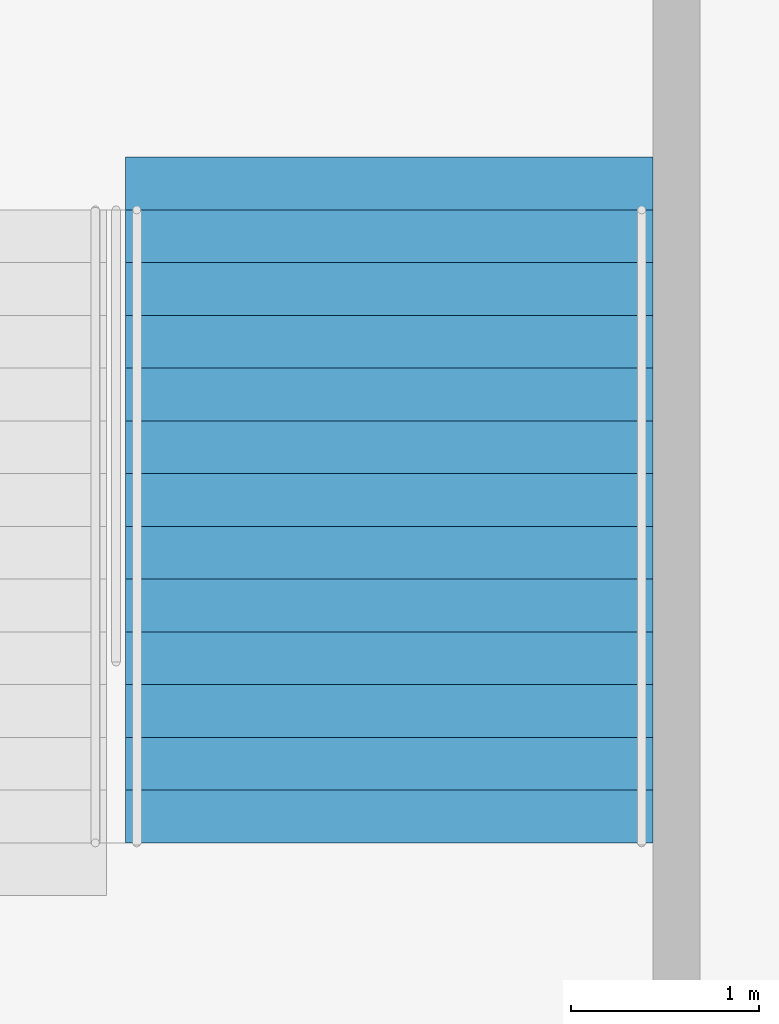
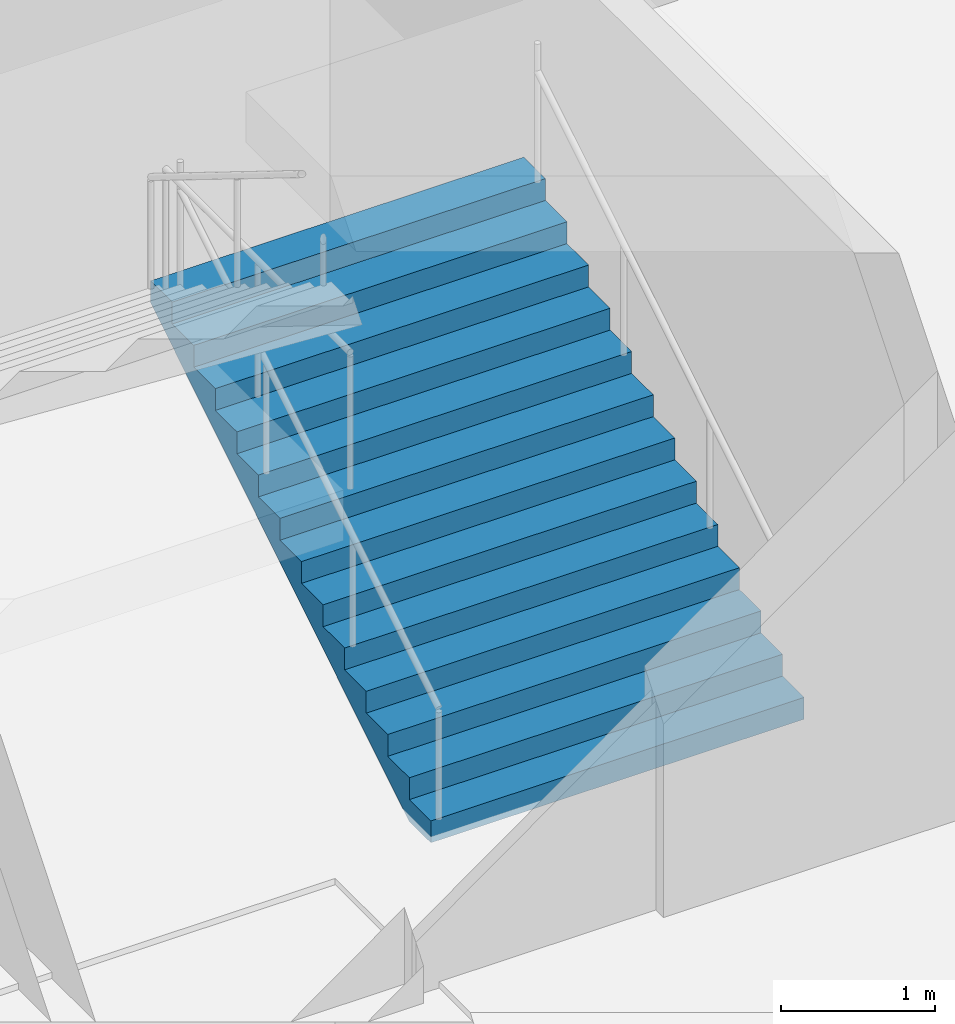
# One storey, part 101 of 115: 1 stair flight, 1 element without a shape of its own.
"""IFC4 building model written with IfcOpenShell, lengths in metres."""

from ifc_helpers import new_model, si_unit, direction, frame, origin, place, context, subcontext, project, spatial, faceted_brep, material, type_object, element, aggregate, save


model = new_model("IFC4")

# Units and contexts
model_context = context("Model", 3, precision=1e-05, world=origin(), true_north=direction((0.0, 1.0)))
body_context = subcontext(model_context, "Body", "Model", "MODEL_VIEW")
ifc_project = project(units=[si_unit("LENGTHUNIT", "METRE"), si_unit("AREAUNIT", "SQUARE_METRE"), si_unit("VOLUMEUNIT", "CUBIC_METRE"), si_unit("PLANEANGLEUNIT", "RADIAN"), si_unit("MASSUNIT", "GRAM", prefix="KILO")], contexts=[model_context])

# Site, building, storey
site_placement = place(None, origin())
site = spatial("IfcSite", under=ifc_project, at=site_placement, CompositionType="ELEMENT")
building_placement = place(site_placement, origin())
building = spatial("IfcBuilding", under=site, at=building_placement, Name="Ogive Plaza Stadium", CompositionType="ELEMENT")
storey_placement = place(building_placement, frame((0.0, 0.0, -4.5)))
storey = spatial("IfcBuildingStorey", under=building, at=storey_placement, Name="B1", CompositionType="ELEMENT", Elevation=-4.5)

# Stair, stair flight
ifc_material_1 = material(Name="Concrete C40/50", Category="concrete")
stair_type = type_object("IfcStairType", Name="Exit stair", PredefinedType="STRAIGHT_RUN_STAIR", material=ifc_material_1)
stair_placement = place(storey_placement, origin())
stair = element("IfcStair", 1, at=stair_placement, inside=storey, type_object=stair_type, Name="Exit stair ST32A B1 to L00", PredefinedType="STRAIGHT_RUN_STAIR")
ifc_material_2 = material(Name="Concrete C40/50", Category="concrete")
stair_flight_type = type_object("IfcStairFlightType", Name="Exit stair flight", PredefinedType="STRAIGHT", material=ifc_material_2)
stair_flight_placement = place(storey_placement, frame((-29.574951171875, 94.85009765625, 0.0), z_axis=(0.0, 0.0, 1.0), x_axis=(0.0, 1.0, 0.0)))
stair_flight = element("IfcStairFlight", 2, at=stair_flight_placement, type_object=stair_flight_type, Name="ST32A flight 1", NumberOfRisers=13, NumberOfTreads=12, PredefinedType="STRAIGHT", RiserHeight=0.173076923, TreadLength=0.28, context=body_context, shape_type="Brep", body=[
    faceted_brep([(0.28515625, -1.39990234375, 0.0), (3.639892578125, -1.39990234375, 2.07373046875), (3.639892578125, -1.39990234375, 2.25), (3.360107421875, -1.39990234375, 2.25), (3.360107421875, -1.39990234375, 2.076904296875), (3.080078125, -1.39990234375, 2.076904296875), (3.080078125, -1.39990234375, 1.90380859375), (2.800048828125, -1.39990234375, 1.90380859375), (2.800048828125, -1.39990234375, 1.730712890625), (2.52001953125, -1.39990234375, 1.730712890625), (2.52001953125, -1.39990234375, 1.5576171875), (2.239990234375, -1.39990234375, 1.5576171875), (2.239990234375, -1.39990234375, 1.384521484375), (1.9599609375, -1.39990234375, 1.384521484375), (1.9599609375, -1.39990234375, 1.21142578125), (1.679931640625, -1.39990234375, 1.21142578125), (1.679931640625, -1.39990234375, 1.03857421875), (1.39990234375, -1.39990234375, 1.03857421875), (1.39990234375, -1.39990234375, 0.865478515625), (1.1201171875, -1.39990234375, 0.865478515625), (1.1201171875, -1.39990234375, 0.6923828125), (0.840087890625, -1.39990234375, 0.6923828125), (0.840087890625, -1.39990234375, 0.519287109375), (0.56005859375, -1.39990234375, 0.519287109375), (0.56005859375, -1.39990234375, 0.34619140625), (0.280029296875, -1.39990234375, 0.34619140625), (0.280029296875, -1.39990234375, 0.173095703125), (0.0, -1.39990234375, 0.173095703125), (0.0, -1.39990234375, 0.0), (0.0, 1.39990234375, 0.0), (0.0, 1.39990234375, 0.173095703125), (0.280029296875, 1.39990234375, 0.173095703125), (0.280029296875, 1.39990234375, 0.34619140625), (0.56005859375, 1.39990234375, 0.34619140625), (0.56005859375, 1.39990234375, 0.519287109375), (0.840087890625, 1.39990234375, 0.519287109375), (0.840087890625, 1.39990234375, 0.6923828125), (1.1201171875, 1.39990234375, 0.6923828125), (1.1201171875, 1.39990234375, 0.865478515625), (1.39990234375, 1.39990234375, 0.865478515625), (1.39990234375, 1.39990234375, 1.03857421875), (1.679931640625, 1.39990234375, 1.03857421875), (1.679931640625, 1.39990234375, 1.21142578125), (1.9599609375, 1.39990234375, 1.21142578125), (1.9599609375, 1.39990234375, 1.384521484375), (2.239990234375, 1.39990234375, 1.384521484375), (2.239990234375, 1.39990234375, 1.5576171875), (2.52001953125, 1.39990234375, 1.5576171875), (2.52001953125, 1.39990234375, 1.730712890625), (2.800048828125, 1.39990234375, 1.730712890625), (2.800048828125, 1.39990234375, 1.90380859375), (3.080078125, 1.39990234375, 1.90380859375), (3.080078125, 1.39990234375, 2.076904296875), (3.360107421875, 1.39990234375, 2.076904296875), (3.360107421875, 1.39990234375, 2.25), (3.639892578125, 1.39990234375, 2.25), (3.639892578125, 1.39990234375, 2.07373046875), (0.28515625, 1.39990234375, 0.0), (0.28515625, -1.0888671875, 0.0), (3.639892578125, -1.0888671875, 2.07373046875), (0.28515625, -0.77783203125, 0.0), (3.639892578125, -0.77783203125, 2.07373046875), (0.28515625, -0.466796875, 0.0), (3.639892578125, -0.466796875, 2.07373046875), (0.28515625, -0.155517578125, 0.0), (3.639892578125, -0.155517578125, 2.07373046875), (0.28515625, 0.155517578125, 0.0), (3.639892578125, 0.155517578125, 2.07373046875), (0.28515625, 0.466796875, 0.0), (3.639892578125, 0.466796875, 2.07373046875), (0.28515625, 0.77783203125, 0.0), (3.639892578125, 0.77783203125, 2.07373046875), (0.28515625, 1.0888671875, 0.0), (3.639892578125, 1.0888671875, 2.07373046875), (3.639892578125, -1.0888671875, 2.25), (3.639892578125, -0.77783203125, 2.25), (3.639892578125, -0.466796875, 2.25), (3.639892578125, -0.155517578125, 2.25), (3.639892578125, 0.155517578125, 2.25), (3.639892578125, 0.466796875, 2.25), (3.639892578125, 0.77783203125, 2.25), (3.639892578125, 1.0888671875, 2.25), (3.360107421875, -1.0888671875, 2.25), (3.360107421875, -0.77783203125, 2.25), (3.360107421875, -0.466796875, 2.25), (3.360107421875, -0.155517578125, 2.25), (3.360107421875, 0.155517578125, 2.25), (3.360107421875, 0.466796875, 2.25), (3.360107421875, 0.77783203125, 2.25), (3.360107421875, 1.0888671875, 2.25), (3.360107421875, -1.0888671875, 2.076904296875), (3.360107421875, -0.77783203125, 2.076904296875), (3.360107421875, -0.466796875, 2.076904296875), (3.360107421875, -0.155517578125, 2.076904296875), (3.360107421875, 0.155517578125, 2.076904296875), (3.360107421875, 0.466796875, 2.076904296875), (3.360107421875, 0.77783203125, 2.076904296875), (3.360107421875, 1.0888671875, 2.076904296875), (3.080078125, -1.0888671875, 2.076904296875), (3.080078125, -0.77783203125, 2.076904296875), (3.080078125, -0.466796875, 2.076904296875), (3.080078125, -0.155517578125, 2.076904296875), (3.080078125, 0.155517578125, 2.076904296875), (3.080078125, 0.466796875, 2.076904296875), (3.080078125, 0.77783203125, 2.076904296875), (3.080078125, 1.0888671875, 2.076904296875), (3.080078125, -1.0888671875, 1.90380859375), (3.080078125, -0.77783203125, 1.90380859375), (3.080078125, -0.466796875, 1.90380859375), (3.080078125, -0.155517578125, 1.90380859375), (3.080078125, 0.155517578125, 1.90380859375), (3.080078125, 0.466796875, 1.90380859375), (3.080078125, 0.77783203125, 1.90380859375), (3.080078125, 1.0888671875, 1.90380859375), (2.800048828125, -1.0888671875, 1.90380859375), (2.800048828125, -0.77783203125, 1.90380859375), (2.800048828125, -0.466796875, 1.90380859375), (2.800048828125, -0.155517578125, 1.90380859375), (2.800048828125, 0.155517578125, 1.90380859375), (2.800048828125, 0.466796875, 1.90380859375), (2.800048828125, 0.77783203125, 1.90380859375), (2.800048828125, 1.0888671875, 1.90380859375), (2.800048828125, -1.0888671875, 1.730712890625), (2.800048828125, -0.77783203125, 1.730712890625), (2.800048828125, -0.466796875, 1.730712890625), (2.800048828125, -0.155517578125, 1.730712890625), (2.800048828125, 0.155517578125, 1.730712890625), (2.800048828125, 0.466796875, 1.730712890625), (2.800048828125, 0.77783203125, 1.730712890625), (2.800048828125, 1.0888671875, 1.730712890625), (2.52001953125, -1.0888671875, 1.730712890625), (2.52001953125, -0.77783203125, 1.730712890625), (2.52001953125, -0.466796875, 1.730712890625), (2.52001953125, -0.155517578125, 1.730712890625), (2.52001953125, 0.155517578125, 1.730712890625), (2.52001953125, 0.466796875, 1.730712890625), (2.52001953125, 0.77783203125, 1.730712890625), (2.52001953125, 1.0888671875, 1.730712890625), (2.52001953125, -1.0888671875, 1.5576171875), (2.52001953125, -0.77783203125, 1.5576171875), (2.52001953125, -0.466796875, 1.5576171875), (2.52001953125, -0.155517578125, 1.5576171875), (2.52001953125, 0.155517578125, 1.5576171875), (2.52001953125, 0.466796875, 1.5576171875), (2.52001953125, 0.77783203125, 1.5576171875), (2.52001953125, 1.0888671875, 1.5576171875), (2.239990234375, -1.0888671875, 1.5576171875), (2.239990234375, -0.77783203125, 1.5576171875), (2.239990234375, -0.466796875, 1.5576171875), (2.239990234375, -0.155517578125, 1.5576171875), (2.239990234375, 0.155517578125, 1.5576171875), (2.239990234375, 0.466796875, 1.5576171875), (2.239990234375, 0.77783203125, 1.5576171875), (2.239990234375, 1.0888671875, 1.5576171875), (2.239990234375, -1.0888671875, 1.384521484375), (2.239990234375, -0.77783203125, 1.384521484375), (2.239990234375, -0.466796875, 1.384521484375), (2.239990234375, -0.155517578125, 1.384521484375), (2.239990234375, 0.155517578125, 1.384521484375), (2.239990234375, 0.466796875, 1.384521484375), (2.239990234375, 0.77783203125, 1.384521484375), (2.239990234375, 1.0888671875, 1.384521484375), (1.9599609375, -1.0888671875, 1.384521484375), (1.9599609375, -0.77783203125, 1.384521484375), (1.9599609375, -0.466796875, 1.384521484375), (1.9599609375, -0.155517578125, 1.384521484375), (1.9599609375, 0.155517578125, 1.384521484375), (1.9599609375, 0.466796875, 1.384521484375), (1.9599609375, 0.77783203125, 1.384521484375), (1.9599609375, 1.0888671875, 1.384521484375), (1.9599609375, -1.0888671875, 1.21142578125), (1.9599609375, -0.77783203125, 1.21142578125), (1.9599609375, -0.466796875, 1.21142578125), (1.9599609375, -0.155517578125, 1.21142578125), (1.9599609375, 0.155517578125, 1.21142578125), (1.9599609375, 0.466796875, 1.21142578125), (1.9599609375, 0.77783203125, 1.21142578125), (1.9599609375, 1.0888671875, 1.21142578125), (1.679931640625, -1.0888671875, 1.21142578125), (1.679931640625, -0.77783203125, 1.21142578125), (1.679931640625, -0.466796875, 1.21142578125), (1.679931640625, -0.155517578125, 1.21142578125), (1.679931640625, 0.155517578125, 1.21142578125), (1.679931640625, 0.466796875, 1.21142578125), (1.679931640625, 0.77783203125, 1.21142578125), (1.679931640625, 1.0888671875, 1.21142578125), (1.679931640625, -1.0888671875, 1.03857421875), (1.679931640625, -0.77783203125, 1.03857421875), (1.679931640625, -0.466796875, 1.03857421875), (1.679931640625, -0.155517578125, 1.03857421875), (1.679931640625, 0.155517578125, 1.03857421875), (1.679931640625, 0.466796875, 1.03857421875), (1.679931640625, 0.77783203125, 1.03857421875), (1.679931640625, 1.0888671875, 1.03857421875), (1.39990234375, -1.0888671875, 1.03857421875), (1.39990234375, -0.77783203125, 1.03857421875), (1.39990234375, -0.466796875, 1.03857421875), (1.39990234375, -0.155517578125, 1.03857421875), (1.39990234375, 0.155517578125, 1.03857421875), (1.39990234375, 0.466796875, 1.03857421875), (1.39990234375, 0.77783203125, 1.03857421875), (1.39990234375, 1.0888671875, 1.03857421875), (1.39990234375, -1.0888671875, 0.865478515625), (1.39990234375, -0.77783203125, 0.865478515625), (1.39990234375, -0.466796875, 0.865478515625), (1.39990234375, -0.155517578125, 0.865478515625), (1.39990234375, 0.155517578125, 0.865478515625), (1.39990234375, 0.466796875, 0.865478515625), (1.39990234375, 0.77783203125, 0.865478515625), (1.39990234375, 1.0888671875, 0.865478515625), (1.1201171875, -1.0888671875, 0.865478515625), (1.1201171875, -0.77783203125, 0.865478515625), (1.1201171875, -0.466796875, 0.865478515625), (1.1201171875, -0.155517578125, 0.865478515625), (1.1201171875, 0.155517578125, 0.865478515625), (1.1201171875, 0.466796875, 0.865478515625), (1.1201171875, 0.77783203125, 0.865478515625), (1.1201171875, 1.0888671875, 0.865478515625), (1.1201171875, -1.0888671875, 0.6923828125), (1.1201171875, -0.77783203125, 0.6923828125), (1.1201171875, -0.466796875, 0.6923828125), (1.1201171875, -0.155517578125, 0.6923828125), (1.1201171875, 0.155517578125, 0.6923828125), (1.1201171875, 0.466796875, 0.6923828125), (1.1201171875, 0.77783203125, 0.6923828125), (1.1201171875, 1.0888671875, 0.6923828125), (0.840087890625, -1.0888671875, 0.6923828125), (0.840087890625, -0.77783203125, 0.6923828125), (0.840087890625, -0.466796875, 0.6923828125), (0.840087890625, -0.155517578125, 0.6923828125), (0.840087890625, 0.155517578125, 0.6923828125), (0.840087890625, 0.466796875, 0.6923828125), (0.840087890625, 0.77783203125, 0.6923828125), (0.840087890625, 1.0888671875, 0.6923828125), (0.840087890625, -1.0888671875, 0.519287109375), (0.840087890625, -0.77783203125, 0.519287109375), (0.840087890625, -0.466796875, 0.519287109375), (0.840087890625, -0.155517578125, 0.519287109375), (0.840087890625, 0.155517578125, 0.519287109375), (0.840087890625, 0.466796875, 0.519287109375), (0.840087890625, 0.77783203125, 0.519287109375), (0.840087890625, 1.0888671875, 0.519287109375), (0.56005859375, -1.0888671875, 0.519287109375), (0.56005859375, -0.77783203125, 0.519287109375), (0.56005859375, -0.466796875, 0.519287109375), (0.56005859375, -0.155517578125, 0.519287109375), (0.56005859375, 0.155517578125, 0.519287109375), (0.56005859375, 0.466796875, 0.519287109375), (0.56005859375, 0.77783203125, 0.519287109375), (0.56005859375, 1.0888671875, 0.519287109375), (0.56005859375, -1.0888671875, 0.34619140625), (0.56005859375, -0.77783203125, 0.34619140625), (0.56005859375, -0.466796875, 0.34619140625), (0.56005859375, -0.155517578125, 0.34619140625), (0.56005859375, 0.155517578125, 0.34619140625), (0.56005859375, 0.466796875, 0.34619140625), (0.56005859375, 0.77783203125, 0.34619140625), (0.56005859375, 1.0888671875, 0.34619140625), (0.280029296875, -1.0888671875, 0.34619140625), (0.280029296875, -0.77783203125, 0.34619140625), (0.280029296875, -0.466796875, 0.34619140625), (0.280029296875, -0.155517578125, 0.34619140625), (0.280029296875, 0.155517578125, 0.34619140625), (0.280029296875, 0.466796875, 0.34619140625), (0.280029296875, 0.77783203125, 0.34619140625), (0.280029296875, 1.0888671875, 0.34619140625), (0.280029296875, -1.0888671875, 0.173095703125), (0.280029296875, -0.77783203125, 0.173095703125), (0.280029296875, -0.466796875, 0.173095703125), (0.280029296875, -0.155517578125, 0.173095703125), (0.280029296875, 0.155517578125, 0.173095703125), (0.280029296875, 0.466796875, 0.173095703125), (0.280029296875, 0.77783203125, 0.173095703125), (0.280029296875, 1.0888671875, 0.173095703125), (0.0, -1.0888671875, 0.173095703125), (0.0, -0.77783203125, 0.173095703125), (0.0, -0.466796875, 0.173095703125), (0.0, -0.155517578125, 0.173095703125), (0.0, 0.155517578125, 0.173095703125), (0.0, 0.466796875, 0.173095703125), (0.0, 0.77783203125, 0.173095703125), (0.0, 1.0888671875, 0.173095703125), (0.0, -1.0888671875, 0.0), (0.0, -0.77783203125, 0.0), (0.0, -0.466796875, 0.0), (0.0, -0.155517578125, 0.0), (0.0, 0.155517578125, 0.0), (0.0, 0.466796875, 0.0), (0.0, 0.77783203125, 0.0), (0.0, 1.0888671875, 0.0)], [[[0, 1, 2, 3, 4, 5, 6, 7, 8, 9, 10, 11, 12, 13, 14, 15, 16, 17, 18, 19, 20, 21, 22, 23, 24, 25, 26, 27, 28]], [[29, 30, 31, 32, 33, 34, 35, 36, 37, 38, 39, 40, 41, 42, 43, 44, 45, 46, 47, 48, 49, 50, 51, 52, 53, 54, 55, 56, 57]], [[0, 58, 59, 1]], [[58, 60, 61, 59]], [[60, 62, 63, 61]], [[62, 64, 65, 63]], [[64, 66, 67, 65]], [[66, 68, 69, 67]], [[68, 70, 71, 69]], [[70, 72, 73, 71]], [[72, 57, 56, 73]], [[1, 59, 74, 2]], [[59, 61, 75, 74]], [[61, 63, 76, 75]], [[63, 65, 77, 76]], [[65, 67, 78, 77]], [[67, 69, 79, 78]], [[69, 71, 80, 79]], [[71, 73, 81, 80]], [[73, 56, 55, 81]], [[2, 74, 82, 3]], [[74, 75, 83, 82]], [[75, 76, 84, 83]], [[76, 77, 85, 84]], [[77, 78, 86, 85]], [[78, 79, 87, 86]], [[79, 80, 88, 87]], [[80, 81, 89, 88]], [[81, 55, 54, 89]], [[3, 82, 90, 4]], [[82, 83, 91, 90]], [[83, 84, 92, 91]], [[84, 85, 93, 92]], [[85, 86, 94, 93]], [[86, 87, 95, 94]], [[87, 88, 96, 95]], [[88, 89, 97, 96]], [[89, 54, 53, 97]], [[4, 90, 98, 5]], [[90, 91, 99, 98]], [[91, 92, 100, 99]], [[92, 93, 101, 100]], [[93, 94, 102, 101]], [[94, 95, 103, 102]], [[95, 96, 104, 103]], [[96, 97, 105, 104]], [[97, 53, 52, 105]], [[5, 98, 106, 6]], [[98, 99, 107, 106]], [[99, 100, 108, 107]], [[100, 101, 109, 108]], [[101, 102, 110, 109]], [[102, 103, 111, 110]], [[103, 104, 112, 111]], [[104, 105, 113, 112]], [[105, 52, 51, 113]], [[6, 106, 114, 7]], [[106, 107, 115, 114]], [[107, 108, 116, 115]], [[108, 109, 117, 116]], [[109, 110, 118, 117]], [[110, 111, 119, 118]], [[111, 112, 120, 119]], [[112, 113, 121, 120]], [[113, 51, 50, 121]], [[7, 114, 122, 8]], [[114, 115, 123, 122]], [[115, 116, 124, 123]], [[116, 117, 125, 124]], [[117, 118, 126, 125]], [[118, 119, 127, 126]], [[119, 120, 128, 127]], [[120, 121, 129, 128]], [[121, 50, 49, 129]], [[8, 122, 130, 9]], [[122, 123, 131, 130]], [[123, 124, 132, 131]], [[124, 125, 133, 132]], [[125, 126, 134, 133]], [[126, 127, 135, 134]], [[127, 128, 136, 135]], [[128, 129, 137, 136]], [[129, 49, 48, 137]], [[9, 130, 138, 10]], [[130, 131, 139, 138]], [[131, 132, 140, 139]], [[132, 133, 141, 140]], [[133, 134, 142, 141]], [[134, 135, 143, 142]], [[135, 136, 144, 143]], [[136, 137, 145, 144]], [[137, 48, 47, 145]], [[10, 138, 146, 11]], [[138, 139, 147, 146]], [[139, 140, 148, 147]], [[140, 141, 149, 148]], [[141, 142, 150, 149]], [[142, 143, 151, 150]], [[143, 144, 152, 151]], [[144, 145, 153, 152]], [[145, 47, 46, 153]], [[11, 146, 154, 12]], [[146, 147, 155, 154]], [[147, 148, 156, 155]], [[148, 149, 157, 156]], [[149, 150, 158, 157]], [[150, 151, 159, 158]], [[151, 152, 160, 159]], [[152, 153, 161, 160]], [[153, 46, 45, 161]], [[12, 154, 162, 13]], [[154, 155, 163, 162]], [[155, 156, 164, 163]], [[156, 157, 165, 164]], [[157, 158, 166, 165]], [[158, 159, 167, 166]], [[159, 160, 168, 167]], [[160, 161, 169, 168]], [[161, 45, 44, 169]], [[13, 162, 170, 14]], [[162, 163, 171, 170]], [[163, 164, 172, 171]], [[164, 165, 173, 172]], [[165, 166, 174, 173]], [[166, 167, 175, 174]], [[167, 168, 176, 175]], [[168, 169, 177, 176]], [[169, 44, 43, 177]], [[14, 170, 178, 15]], [[170, 171, 179, 178]], [[171, 172, 180, 179]], [[172, 173, 181, 180]], [[173, 174, 182, 181]], [[174, 175, 183, 182]], [[175, 176, 184, 183]], [[176, 177, 185, 184]], [[177, 43, 42, 185]], [[15, 178, 186, 16]], [[178, 179, 187, 186]], [[179, 180, 188, 187]], [[180, 181, 189, 188]], [[181, 182, 190, 189]], [[182, 183, 191, 190]], [[183, 184, 192, 191]], [[184, 185, 193, 192]], [[185, 42, 41, 193]], [[16, 186, 194, 17]], [[186, 187, 195, 194]], [[187, 188, 196, 195]], [[188, 189, 197, 196]], [[189, 190, 198, 197]], [[190, 191, 199, 198]], [[191, 192, 200, 199]], [[192, 193, 201, 200]], [[193, 41, 40, 201]], [[17, 194, 202, 18]], [[194, 195, 203, 202]], [[195, 196, 204, 203]], [[196, 197, 205, 204]], [[197, 198, 206, 205]], [[198, 199, 207, 206]], [[199, 200, 208, 207]], [[200, 201, 209, 208]], [[201, 40, 39, 209]], [[18, 202, 210, 19]], [[202, 203, 211, 210]], [[203, 204, 212, 211]], [[204, 205, 213, 212]], [[205, 206, 214, 213]], [[206, 207, 215, 214]], [[207, 208, 216, 215]], [[208, 209, 217, 216]], [[209, 39, 38, 217]], [[19, 210, 218, 20]], [[210, 211, 219, 218]], [[211, 212, 220, 219]], [[212, 213, 221, 220]], [[213, 214, 222, 221]], [[214, 215, 223, 222]], [[215, 216, 224, 223]], [[216, 217, 225, 224]], [[217, 38, 37, 225]], [[20, 218, 226, 21]], [[218, 219, 227, 226]], [[219, 220, 228, 227]], [[220, 221, 229, 228]], [[221, 222, 230, 229]], [[222, 223, 231, 230]], [[223, 224, 232, 231]], [[224, 225, 233, 232]], [[225, 37, 36, 233]], [[21, 226, 234, 22]], [[226, 227, 235, 234]], [[227, 228, 236, 235]], [[228, 229, 237, 236]], [[229, 230, 238, 237]], [[230, 231, 239, 238]], [[231, 232, 240, 239]], [[232, 233, 241, 240]], [[233, 36, 35, 241]], [[22, 234, 242, 23]], [[234, 235, 243, 242]], [[235, 236, 244, 243]], [[236, 237, 245, 244]], [[237, 238, 246, 245]], [[238, 239, 247, 246]], [[239, 240, 248, 247]], [[240, 241, 249, 248]], [[241, 35, 34, 249]], [[23, 242, 250, 24]], [[242, 243, 251, 250]], [[243, 244, 252, 251]], [[244, 245, 253, 252]], [[245, 246, 254, 253]], [[246, 247, 255, 254]], [[247, 248, 256, 255]], [[248, 249, 257, 256]], [[249, 34, 33, 257]], [[24, 250, 258, 25]], [[250, 251, 259, 258]], [[251, 252, 260, 259]], [[252, 253, 261, 260]], [[253, 254, 262, 261]], [[254, 255, 263, 262]], [[255, 256, 264, 263]], [[256, 257, 265, 264]], [[257, 33, 32, 265]], [[25, 258, 266, 26]], [[258, 259, 267, 266]], [[259, 260, 268, 267]], [[260, 261, 269, 268]], [[261, 262, 270, 269]], [[262, 263, 271, 270]], [[263, 264, 272, 271]], [[264, 265, 273, 272]], [[265, 32, 31, 273]], [[26, 266, 274, 27]], [[266, 267, 275, 274]], [[267, 268, 276, 275]], [[268, 269, 277, 276]], [[269, 270, 278, 277]], [[270, 271, 279, 278]], [[271, 272, 280, 279]], [[272, 273, 281, 280]], [[273, 31, 30, 281]], [[27, 274, 282, 28]], [[274, 275, 283, 282]], [[275, 276, 284, 283]], [[276, 277, 285, 284]], [[277, 278, 286, 285]], [[278, 279, 287, 286]], [[279, 280, 288, 287]], [[280, 281, 289, 288]], [[281, 30, 29, 289]], [[28, 282, 58, 0]], [[282, 283, 60, 58]], [[283, 284, 62, 60]], [[284, 285, 64, 62]], [[285, 286, 66, 64]], [[286, 287, 68, 66]], [[287, 288, 70, 68]], [[288, 289, 72, 70]], [[289, 29, 57, 72]]]),
])
aggregate(stair, [stair_flight])

save(model, "model.ifc")
